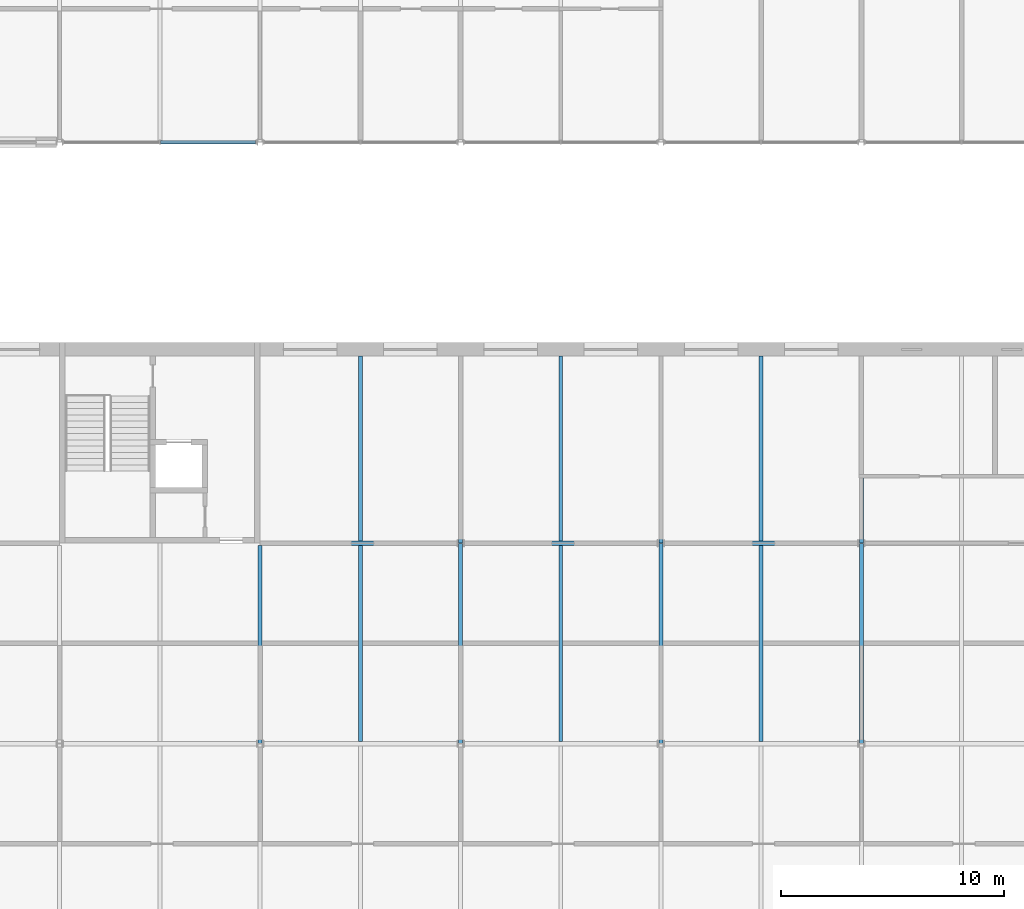
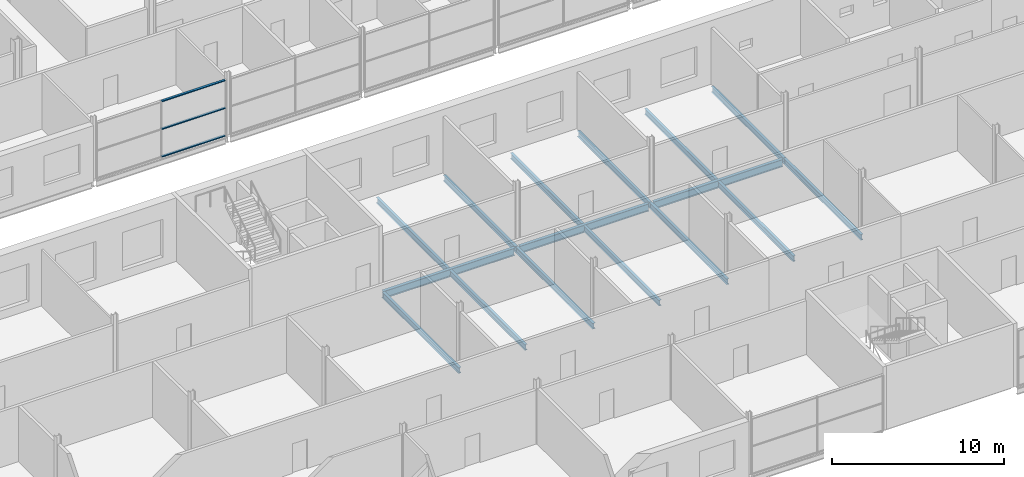
# One storey, part 40 of 97: 16 beams, 3 members, 1 element without a shape of its own.
"""IFC4 building model written with IfcOpenShell, lengths in metres."""

from ifc_helpers import new_model, si_unit, direction, frame, origin, origin_2d, place, context, subcontext, project, spatial, rectangle, i_section, extrude, material, layer, layer_set, material_profile, profile_set, type_object, element, aggregate, save


model = new_model("IFC4")

# Units and contexts
model_context = context("Model", 3, precision=1e-05, world=origin(), true_north=direction((0.0, 1.0)))
body_context = subcontext(model_context, "Body", "Model", "MODEL_VIEW")
ifc_project = project(units=[si_unit("LENGTHUNIT", "METRE"), si_unit("AREAUNIT", "SQUARE_METRE"), si_unit("VOLUMEUNIT", "CUBIC_METRE"), si_unit("PLANEANGLEUNIT", "RADIAN"), si_unit("MASSUNIT", "GRAM", prefix="KILO")], contexts=[model_context])

# Site, building, storey
site_placement = place(None, origin())
site = spatial("IfcSite", under=ifc_project, at=site_placement, CompositionType="ELEMENT")
building_placement = place(site_placement, origin())
building = spatial("IfcBuilding", under=site, at=building_placement, Name="Corbel Yard City Hall", CompositionType="ELEMENT")
storey_placement = place(building_placement, frame((0.0, 0.0, 6.0)))
storey = spatial("IfcBuildingStorey", under=building, at=storey_placement, Name="L01", CompositionType="ELEMENT", Elevation=6.0)

# Beams
ifc_material_1 = material(Name="Steel Grade 300 (300 MPa yield)", Category="steel")
ifc_material_profile_1 = material_profile(ifc_material_1, i_section(OverallWidth=0.177978515625, OverallDepth=0.403076171875, WebThickness=0.007568359375, FlangeThickness=0.010986328125, at=origin_2d()), Name="410UB53.7")
ifc_profile_set_1 = profile_set([ifc_material_profile_1], Name="Steel Grade 300 (300 MPa yield)")
beam_type_1 = type_object("IfcBeamType", Name="Beam 410UB53.7", PredefinedType="BEAM", material=ifc_profile_set_1)
beam_1_placement = place(storey_placement, frame((36.0, 63.0078125, -0.3515625), z_axis=(0.0, 1.0, 0.0), x_axis=(-1.0, 0.0, 0.0)))
element("IfcBeam", 1, at=beam_1_placement, inside=storey, type_object=beam_type_1, Name="Beam 410UB53.7 SB6 L01floor", PredefinedType="BEAM", context=body_context, shape_type="SweptSolid", body=[
    extrude(i_section(OverallWidth=0.177978515625, OverallDepth=0.403076171875, WebThickness=0.007568359375, FlangeThickness=0.010986328125, at=origin_2d()), origin(), (0.0, 0.0, 1.0), 8.8876953125),
])
beam_2_placement = place(storey_placement, frame((45.0, 63.0078125, -0.3515625), z_axis=(0.0, 1.0, 0.0), x_axis=(-1.0, 0.0, 0.0)))
element("IfcBeam", 2, at=beam_2_placement, inside=storey, type_object=beam_type_1, Name="Beam 410UB53.7 SB6 L01floor", PredefinedType="BEAM", context=body_context, shape_type="SweptSolid", body=[
    extrude(i_section(OverallWidth=0.177978515625, OverallDepth=0.403076171875, WebThickness=0.007568359375, FlangeThickness=0.010986328125, at=origin_2d()), origin(), (0.0, 0.0, 1.0), 8.984375),
])
beam_3_placement = place(storey_placement, frame((45.0, 72.0078125, -0.3515625), z_axis=(0.0, 1.0, 0.0), x_axis=(-1.0, 0.0, 0.0)))
element("IfcBeam", 3, at=beam_3_placement, inside=storey, type_object=beam_type_1, Name="Beam 410UB53.7 SB6 L01floor", PredefinedType="BEAM", context=body_context, shape_type="SweptSolid", body=[
    extrude(i_section(OverallWidth=0.177978515625, OverallDepth=0.403076171875, WebThickness=0.007568359375, FlangeThickness=0.010986328125, at=origin_2d()), origin(), (0.0, 0.0, 1.0), 8.39208984375),
])
beam_4_placement = place(storey_placement, frame((54.0, 63.0078125, -0.3515625), z_axis=(0.0, 1.0, 0.0), x_axis=(-1.0, 0.0, 0.0)))
element("IfcBeam", 4, at=beam_4_placement, inside=storey, type_object=beam_type_1, Name="Beam 410UB53.7 SB6 L01floor", PredefinedType="BEAM", context=body_context, shape_type="SweptSolid", body=[
    extrude(i_section(OverallWidth=0.177978515625, OverallDepth=0.403076171875, WebThickness=0.007568359375, FlangeThickness=0.010986328125, at=origin_2d()), origin(), (0.0, 0.0, 1.0), 8.984375),
])
beam_5_placement = place(storey_placement, frame((54.0, 72.0078125, -0.3515625), z_axis=(0.0, 1.0, 0.0), x_axis=(-1.0, 0.0, 0.0)))
element("IfcBeam", 5, at=beam_5_placement, inside=storey, type_object=beam_type_1, Name="Beam 410UB53.7 SB6 L01floor", PredefinedType="BEAM", context=body_context, shape_type="SweptSolid", body=[
    extrude(i_section(OverallWidth=0.177978515625, OverallDepth=0.403076171875, WebThickness=0.007568359375, FlangeThickness=0.010986328125, at=origin_2d()), origin(), (0.0, 0.0, 1.0), 8.39208984375),
])
beam_6_placement = place(storey_placement, frame((63.0, 63.0078125, -0.3515625), z_axis=(0.0, 1.0, 0.0), x_axis=(-1.0, 0.0, 0.0)))
element("IfcBeam", 6, at=beam_6_placement, inside=storey, type_object=beam_type_1, Name="Beam 410UB53.7 SB6 L01floor", PredefinedType="BEAM", context=body_context, shape_type="SweptSolid", body=[
    extrude(i_section(OverallWidth=0.177978515625, OverallDepth=0.403076171875, WebThickness=0.007568359375, FlangeThickness=0.010986328125, at=origin_2d()), origin(), (0.0, 0.0, 1.0), 8.984375),
])
beam_7_placement = place(storey_placement, frame((63.0, 72.0078125, -0.3515625), z_axis=(0.0, 1.0, 0.0), x_axis=(-1.0, 0.0, 0.0)))
element("IfcBeam", 7, at=beam_7_placement, inside=storey, type_object=beam_type_1, Name="Beam 410UB53.7 SB6 L01floor", PredefinedType="BEAM", context=body_context, shape_type="SweptSolid", body=[
    extrude(i_section(OverallWidth=0.177978515625, OverallDepth=0.403076171875, WebThickness=0.007568359375, FlangeThickness=0.010986328125, at=origin_2d()), origin(), (0.0, 0.0, 1.0), 8.39208984375),
])
ifc_material_profile_2 = material_profile(ifc_material_1, i_section(OverallWidth=0.208984375, OverallDepth=0.528076171875, WebThickness=0.009521484375, FlangeThickness=0.01318359375, at=origin_2d()), Name="530UB82.0")
ifc_profile_set_2 = profile_set([ifc_material_profile_2], Name="Steel Grade 300 (300 MPa yield)")
beam_type_2 = type_object("IfcBeamType", Name="Girder 530UB82.0", PredefinedType="BEAM", material=ifc_profile_set_2)
beam_8_placement = place(storey_placement, frame((36.0, 72.0, -0.4140625), z_axis=(1.0, 0.0, 0.0), x_axis=(0.0, 1.0, 0.0)))
element("IfcBeam", 8, at=beam_8_placement, inside=storey, type_object=beam_type_2, Name="Girder 530UB82.0 GB3 L01floor", PredefinedType="BEAM", context=body_context, shape_type="SweptSolid", body=[
    extrude(i_section(OverallWidth=0.208984375, OverallDepth=0.528076171875, WebThickness=0.009521484375, FlangeThickness=0.01318359375, at=origin_2d()), origin(), (0.0, 0.0, 1.0), 8.83642578125),
])
for number, where, z_axis, x_axis, name in (
    (9, (45.16357421875, 72.0, -0.4140625), (1.0, 0.0, 0.0), (0.0, 1.0, 0.0), "Girder 530UB82.0 GB3 L01floor"),
    (10, (54.16357421875, 72.0, -0.4140625), (1.0, 0.0, 0.0), (0.0, 1.0, 0.0), "Girder 530UB82.0 GB3 L01floor"),
):
    element("IfcBeam", number, at=place(storey_placement, frame(where, z_axis=z_axis, x_axis=x_axis)), inside=storey, type_object=beam_type_2, Name=name, PredefinedType="BEAM", context=body_context, shape_type="SweptSolid", body=[
        extrude(i_section(OverallWidth=0.208984375, OverallDepth=0.528076171875, WebThickness=0.009521484375, FlangeThickness=0.01318359375, at=origin_2d()), origin(), (0.0, 0.0, 1.0), 8.6728515625),
    ])
ifc_material_profile_3 = material_profile(ifc_material_1, i_section(OverallWidth=0.177978515625, OverallDepth=0.403076171875, WebThickness=0.007568359375, FlangeThickness=0.010986328125, at=origin_2d()), Name="410UB53.7")
ifc_profile_set_3 = profile_set([ifc_material_profile_3], Name="Steel Grade 300 (300 MPa yield)")
beam_type_3 = type_object("IfcBeamType", Name="Secondary beam 410UB53.7", PredefinedType="JOIST", material=ifc_profile_set_3)
beam_9_placement = place(storey_placement, frame((40.5, 63.1044921875, -0.3515625), z_axis=(0.0, 1.0, 0.0), x_axis=(-1.0, 0.0, 0.0)))
element("IfcBeam", 11, at=beam_9_placement, inside=storey, type_object=beam_type_3, Name="Secondary beam 410UB53.7 SB5 L01floor", PredefinedType="JOIST", context=body_context, shape_type="SweptSolid", body=[
    extrude(i_section(OverallWidth=0.177978515625, OverallDepth=0.403076171875, WebThickness=0.007568359375, FlangeThickness=0.010986328125, at=origin_2d()), origin(), (0.0, 0.0, 1.0), 8.791015625),
])
beam_10_placement = place(storey_placement, frame((40.5, 72.1044921875, -0.3515625), z_axis=(0.0, 1.0, 0.0), x_axis=(-1.0, 0.0, 0.0)))
element("IfcBeam", 12, at=beam_10_placement, inside=storey, type_object=beam_type_3, Name="Secondary beam 410UB53.7 SB5 L01floor", PredefinedType="JOIST", context=body_context, shape_type="SweptSolid", body=[
    extrude(i_section(OverallWidth=0.177978515625, OverallDepth=0.403076171875, WebThickness=0.007568359375, FlangeThickness=0.010986328125, at=origin_2d()), origin(), (0.0, 0.0, 1.0), 8.29541015625),
])
beam_11_placement = place(storey_placement, frame((49.5, 63.1044921875, -0.3515625), z_axis=(0.0, 1.0, 0.0), x_axis=(-1.0, 0.0, 0.0)))
element("IfcBeam", 13, at=beam_11_placement, inside=storey, type_object=beam_type_3, Name="Secondary beam 410UB53.7 SB5 L01floor", PredefinedType="JOIST", context=body_context, shape_type="SweptSolid", body=[
    extrude(i_section(OverallWidth=0.177978515625, OverallDepth=0.403076171875, WebThickness=0.007568359375, FlangeThickness=0.010986328125, at=origin_2d()), origin(), (0.0, 0.0, 1.0), 8.791015625),
])
beam_12_placement = place(storey_placement, frame((49.5, 72.1044921875, -0.3515625), z_axis=(0.0, 1.0, 0.0), x_axis=(-1.0, 0.0, 0.0)))
element("IfcBeam", 14, at=beam_12_placement, inside=storey, type_object=beam_type_3, Name="Secondary beam 410UB53.7 SB5 L01floor", PredefinedType="JOIST", context=body_context, shape_type="SweptSolid", body=[
    extrude(i_section(OverallWidth=0.177978515625, OverallDepth=0.403076171875, WebThickness=0.007568359375, FlangeThickness=0.010986328125, at=origin_2d()), origin(), (0.0, 0.0, 1.0), 8.29541015625),
])
beam_13_placement = place(storey_placement, frame((58.5, 63.1044921875, -0.3515625), z_axis=(0.0, 1.0, 0.0), x_axis=(-1.0, 0.0, 0.0)))
element("IfcBeam", 15, at=beam_13_placement, inside=storey, type_object=beam_type_3, Name="Secondary beam 410UB53.7 SB5 L01floor", PredefinedType="JOIST", context=body_context, shape_type="SweptSolid", body=[
    extrude(i_section(OverallWidth=0.177978515625, OverallDepth=0.403076171875, WebThickness=0.007568359375, FlangeThickness=0.010986328125, at=origin_2d()), origin(), (0.0, 0.0, 1.0), 8.791015625),
])
beam_14_placement = place(storey_placement, frame((58.5, 72.1044921875, -0.3515625), z_axis=(0.0, 1.0, 0.0), x_axis=(-1.0, 0.0, 0.0)))
element("IfcBeam", 16, at=beam_14_placement, inside=storey, type_object=beam_type_3, Name="Secondary beam 410UB53.7 SB5 L01floor", PredefinedType="JOIST", context=body_context, shape_type="SweptSolid", body=[
    extrude(i_section(OverallWidth=0.177978515625, OverallDepth=0.403076171875, WebThickness=0.007568359375, FlangeThickness=0.010986328125, at=origin_2d()), origin(), (0.0, 0.0, 1.0), 8.29541015625),
])

# Curtain wall, members
ifc_material_2 = material(Name="Aluminium extrusion", Category="aluminium")
ifc_layer = layer(ifc_material_2, 0.199951171875)
ifc_layer_set = layer_set([ifc_layer], Name="Aluminium extrusion")
curtain_wall_type = type_object("IfcCurtainWallType", Name="CW1", PredefinedType="USERDEFINED", material=ifc_layer_set)
curtain_wall_placement = place(storey_placement, origin())
curtain_wall = element("IfcCurtainWall", 17, at=curtain_wall_placement, inside=storey, type_object=curtain_wall_type, Name="Curtain wall CW1 L01", ObjectType="CURTAIN WALL", PredefinedType="USERDEFINED")
ifc_material_profile_4 = material_profile(ifc_material_2, rectangle(XDim=0.14990234375, YDim=0.06494140625, at=origin_2d()), Name="150x65")
ifc_profile_set_4 = profile_set([ifc_material_profile_4], Name="Aluminium extrusion")
member_type = type_object("IfcMemberType", Name="TR1", PredefinedType="USERDEFINED", material=ifc_profile_set_4)
member_1_placement = place(storey_placement, frame((31.532470703125, 90.0, 0.032470703125), z_axis=(1.0, 0.0, 0.0), x_axis=(0.0, 1.0, 0.0)))
member_1 = element("IfcMember", 18, at=member_1_placement, type_object=member_type, Name="CW1 transom 2.1", ObjectType="TRANSOM", PredefinedType="USERDEFINED", context=body_context, shape_type="SweptSolid", body=[
    extrude(rectangle(XDim=0.14990234375, YDim=0.06494140625, at=origin_2d()), origin(), (0.0, 0.0, 1.0), 4.2724609375),
])
member_2_placement = place(storey_placement, frame((31.532470703125, 90.0, 1.99560546875), z_axis=(1.0, 0.0, 0.0), x_axis=(0.0, 1.0, 0.0)))
member_2 = element("IfcMember", 19, at=member_2_placement, type_object=member_type, Name="CW1 transom 2.2", ObjectType="TRANSOM", PredefinedType="USERDEFINED", context=body_context, shape_type="SweptSolid", body=[
    extrude(rectangle(XDim=0.14990234375, YDim=0.06494140625, at=origin_2d()), origin(), (0.0, 0.0, 1.0), 4.2724609375),
])
member_3_placement = place(storey_placement, frame((31.532470703125, 90.0, 3.95849609375), z_axis=(1.0, 0.0, 0.0), x_axis=(0.0, 1.0, 0.0)))
member_3 = element("IfcMember", 20, at=member_3_placement, type_object=member_type, Name="CW1 transom 2.3", ObjectType="TRANSOM", PredefinedType="USERDEFINED", context=body_context, shape_type="SweptSolid", body=[
    extrude(rectangle(XDim=0.14990234375, YDim=0.06494140625, at=origin_2d()), origin(), (0.0, 0.0, 1.0), 4.2724609375),
])
aggregate(curtain_wall, [member_1, member_2, member_3])

save(model, "model.ifc")
